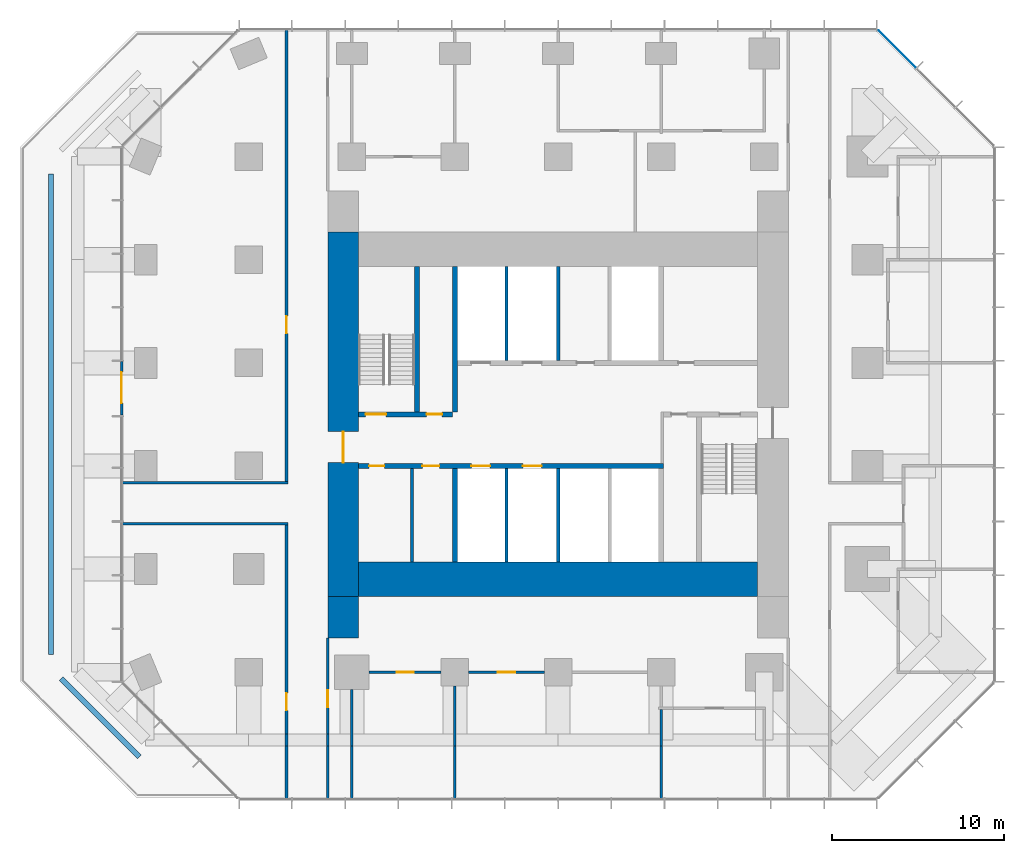
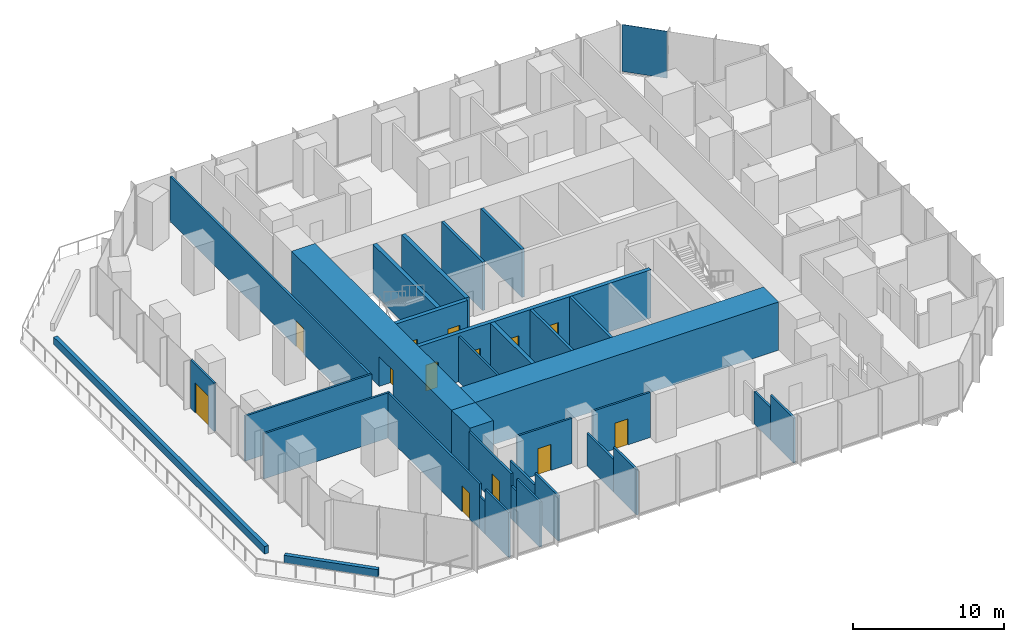
# One storey, part 8 of 11: 33 walls, 13 doors, 1 plate, 13 openings, 1 element without a shape of its own.
"""IFC4 building model written with IfcOpenShell, lengths in metres."""

from ifc_helpers import new_model, si_unit, direction, frame, frame_2d, origin, origin_2d, place, context, subcontext, project, spatial, rectangle, extrude, material, layer, layer_set, type_object, element, fill, aggregate, save


model = new_model("IFC4")

# Units and contexts
model_context = context("Model", 3, precision=1e-05, world=origin(), true_north=direction((0.0, 1.0)))
body_context = subcontext(model_context, "Body", "Model", "MODEL_VIEW")
ifc_project = project(units=[si_unit("LENGTHUNIT", "METRE"), si_unit("AREAUNIT", "SQUARE_METRE"), si_unit("VOLUMEUNIT", "CUBIC_METRE"), si_unit("PLANEANGLEUNIT", "RADIAN"), si_unit("MASSUNIT", "GRAM", prefix="KILO")], contexts=[model_context])

# Site, building, storey
site_placement = place(None, origin())
site = spatial("IfcSite", under=ifc_project, at=site_placement, CompositionType="ELEMENT")
building_placement = place(site_placement, origin())
building = spatial("IfcBuilding", under=site, at=building_placement, Name="Highveld Stack Headquarters", CompositionType="ELEMENT")
storey_placement = place(building_placement, frame((0.0, 0.0, 140.60009765625)))
storey = spatial("IfcBuildingStorey", under=building, at=storey_placement, Name="L34", CompositionType="ELEMENT", Elevation=140.60009765625)

# Curtain wall, plate
ifc_material_1 = material(Name="Aluminium bronze anodised", Category="aluminium")
ifc_layer_1 = layer(ifc_material_1, 0.199951171875)
ifc_layer_set_1 = layer_set([ifc_layer_1], Name="Aluminium bronze anodised")
curtain_wall_type = type_object("IfcCurtainWallType", Name="CW2 TOWER CHAMFER UNITISED CURTAIN WALL", PredefinedType="NOTDEFINED", material=ifc_layer_set_1)
curtain_wall_placement = place(storey_placement, origin())
curtain_wall = element("IfcCurtainWall", 1, at=curtain_wall_placement, inside=storey, type_object=curtain_wall_type, Name="Curtain wall CW2 L34 NE", PredefinedType="NOTDEFINED")
ifc_material_2 = material(Name="Glass bronze tinted double glazed unit", Category="glass")
ifc_layer_2 = layer(ifc_material_2, 0.028076171875)
ifc_layer_set_2 = layer_set([ifc_layer_2], Name="Glass bronze tinted double glazed unit")
plate_type = type_object("IfcPlateType", Name="CW2 PANEL BRONZE TINTED DOUBLE GLAZED UNIT", PredefinedType="CURTAIN_PANEL", material=ifc_layer_set_2)
plate_placement = place(storey_placement, frame((25.740478515625, 24.239501953125, 0.10009765625), z_axis=(0.0, 0.0, 1.0), x_axis=(-0.707106781187, 0.707106781187, 0.0)))
plate = element("IfcPlate", 2, at=plate_placement, type_object=plate_type, Name="CW2 panel L34 3.1", PredefinedType="CURTAIN_PANEL", context=body_context, shape_type="SweptSolid", body=[
    extrude(rectangle(XDim=3.08251953125, YDim=0.028076171875, at=origin_2d()), origin(), (0.0, 0.0, 1.0), 3.800048828125),
])
aggregate(curtain_wall, [plate])

# Wall, opening, door
ifc_material_3 = material(Name="Concrete C60/75", Category="concrete")
ifc_layer_3 = layer(ifc_material_3, 1.800048828125)
ifc_layer_set_3 = layer_set([ifc_layer_3], Name="Concrete C60/75")
wall_type_1 = type_object("IfcWallType", Name="CORE WALL 1800 C60/75", PredefinedType="SHEAR", material=ifc_layer_set_3)
wall_1_placement = place(storey_placement, frame((-6.5, -7.60009765625, 0.0), z_axis=(0.0, 0.0, 1.0), x_axis=(0.0, 1.0, 0.0)))
wall_1 = element("IfcWall", 3, at=wall_1_placement, inside=storey, type_object=wall_type_1, Name="Core wall W L34", PredefinedType="SHEAR", context=body_context, shape_type="SweptSolid", body=[
    extrude(rectangle(XDim=21.2001953125, YDim=1.800048828125, at=frame_2d((10.60009765625, 0.0))), origin(), (0.0, 0.0, 1.0), 3.89990234375),
])
opening_1_placement = place(wall_1_placement, frame((7.800048828125, 0.0, 0.0)))
opening_1 = element("IfcOpeningElement", 4, at=opening_1_placement, cuts=wall_1, Name="Opening L34-02", PredefinedType="OPENING", context=body_context, shape_type="SweptSolid", body=[
    extrude(rectangle(XDim=1.800048828125, YDim=2.39990234375, at=frame_2d((0.89990234375, 1.199951171875))), frame((0.0, 0.909912109375, 0.0), z_axis=(0.0, -1.0, 0.0), x_axis=(1.0, 0.0, 0.0)), (0.0, 0.0, 1.0), 1.820068359375),
])
ifc_material_4 = material(Name="Steel fire door", Category="steel")
door_type_1 = type_object("IfcDoorType", Name="LOBBY FIRE DOOR D4 1800x2400", OperationType="DOUBLE_DOOR_SINGLE_SWING", PredefinedType="DOOR", material=ifc_material_4)
door_1_placement = place(opening_1_placement, origin())
door_1 = element("IfcDoor", 5, at=door_1_placement, inside=storey, type_object=door_type_1, Name="Core west door L34", OperationType="DOUBLE_DOOR_SINGLE_SWING", OverallHeight=2.39990234375, OverallWidth=1.800048828125, PredefinedType="DOOR", context=body_context, shape_type="SweptSolid", body=[
    extrude(rectangle(XDim=1.800048828125, YDim=2.39990234375, at=frame_2d((0.89990234375, 1.199951171875))), frame((0.0, 0.02490234375, 0.0), z_axis=(0.0, -1.0, 0.0), x_axis=(1.0, 0.0, 0.0)), (0.0, 0.0, 1.0), 0.050048828125),
])
fill(opening_1, door_1)

# Wall
ifc_material_5 = material(Name="Concrete C60/75", Category="concrete")
ifc_layer_4 = layer(ifc_material_5, 2.0)
ifc_layer_set_4 = layer_set([ifc_layer_4], Name="Concrete C60/75")
wall_type_2 = type_object("IfcWallType", Name="CORE WALL 2000 C60/75", PredefinedType="SHEAR", material=ifc_layer_set_4)
wall_2_placement = place(storey_placement, frame((-5.60009765625, -6.60009765625, 0.0), z_axis=(0.0, 0.0, 1.0), x_axis=(1.0, 0.0, 0.0)))
element("IfcWall", 6, at=wall_2_placement, inside=storey, type_object=wall_type_2, Name="Core wall S L34", PredefinedType="SHEAR", context=body_context, shape_type="SweptSolid", body=[
    extrude(rectangle(XDim=23.2001953125, YDim=2.0, at=frame_2d((11.60009765625, 0.0))), origin(), (0.0, 0.0, 1.0), 3.89990234375),
])

# Wall, openings, doors
ifc_material_6 = material(Name="Concrete C60/75", Category="concrete")
ifc_layer_5 = layer(ifc_material_6, 0.300048828125)
ifc_layer_set_5 = layer_set([ifc_layer_5], Name="Concrete C60/75")
wall_type_3 = type_object("IfcWallType", Name="CORE WALL 300 C60/75", PredefinedType="SHEAR", material=ifc_layer_set_5)
wall_3_placement = place(storey_placement, frame((-5.60009765625, 0.0, 0.0), z_axis=(0.0, 0.0, 1.0), x_axis=(1.0, 0.0, 0.0)))
wall_3 = element("IfcWall", 7, at=wall_3_placement, inside=storey, type_object=wall_type_3, Name="Core wall I-Y0 L34", PredefinedType="SHEAR", context=body_context, shape_type="SweptSolid", body=[
    extrude(rectangle(XDim=17.75, YDim=0.300048828125, at=frame_2d((8.875, 0.0))), origin(), (0.0, 0.0, 1.0), 3.89990234375),
])
opening_2_placement = place(wall_3_placement, frame((0.60009765625, 0.0, 0.0)))
opening_2 = element("IfcOpeningElement", 8, at=opening_2_placement, cuts=wall_3, Name="Opening L34-08", PredefinedType="OPENING", context=body_context, shape_type="SweptSolid", body=[
    extrude(rectangle(XDim=0.89990234375, YDim=2.10009765625, at=frame_2d((0.449951171875, 1.050048828125))), frame((0.0, 0.159912109375, 0.0), z_axis=(0.0, -1.0, 0.0), x_axis=(1.0, 0.0, 0.0)), (0.0, 0.0, 1.0), 0.320068359375),
])
opening_3_placement = place(wall_3_placement, frame((3.699951171875, 0.0, 0.0)))
opening_3 = element("IfcOpeningElement", 9, at=opening_3_placement, cuts=wall_3, Name="Opening L34-09", PredefinedType="OPENING", context=body_context, shape_type="SweptSolid", body=[
    extrude(rectangle(XDim=1.0, YDim=2.10009765625, at=frame_2d((0.5, 1.050048828125))), frame((0.0, 0.159912109375, 0.0), z_axis=(0.0, -1.0, 0.0), x_axis=(1.0, 0.0, 0.0)), (0.0, 0.0, 1.0), 0.320068359375),
])
opening_4_placement = place(wall_3_placement, frame((6.550048828125, 0.0, 0.0)))
opening_4 = element("IfcOpeningElement", 10, at=opening_4_placement, cuts=wall_3, Name="Opening LD", PredefinedType="OPENING", context=body_context, shape_type="SweptSolid", body=[
    extrude(rectangle(XDim=1.10009765625, YDim=2.10009765625, at=frame_2d((0.550048828125, 1.050048828125))), frame((0.0, 0.159912109375, 0.0), z_axis=(0.0, -1.0, 0.0), x_axis=(1.0, 0.0, 0.0)), (0.0, 0.0, 1.0), 0.320068359375),
])
opening_5_placement = place(wall_3_placement, frame((9.550048828125, 0.0, 0.0)))
opening_5 = element("IfcOpeningElement", 11, at=opening_5_placement, cuts=wall_3, Name="Opening LD", PredefinedType="OPENING", context=body_context, shape_type="SweptSolid", body=[
    extrude(rectangle(XDim=1.10009765625, YDim=2.10009765625, at=frame_2d((0.550048828125, 1.050048828125))), frame((0.0, 0.159912109375, 0.0), z_axis=(0.0, -1.0, 0.0), x_axis=(1.0, 0.0, 0.0)), (0.0, 0.0, 1.0), 0.320068359375),
])
ifc_material_7 = material(Name="Timber door, painted", Category="wood")
door_type_2 = type_object("IfcDoorType", Name="ACCESSIBLE WC DOOR D2 1000x2100", OperationType="SINGLE_SWING_RIGHT", PredefinedType="DOOR", material=ifc_material_7)
door_2_placement = place(opening_3_placement, origin())
door_2 = element("IfcDoor", 12, at=door_2_placement, inside=storey, type_object=door_type_2, Name="Accessible WC door L34", OperationType="SINGLE_SWING_LEFT", OverallHeight=2.10009765625, OverallWidth=1.0, PredefinedType="DOOR", context=body_context, shape_type="SweptSolid", body=[
    extrude(rectangle(XDim=1.0, YDim=2.10009765625, at=frame_2d((0.5, 1.050048828125))), frame((0.0, 0.02490234375, 0.0), z_axis=(0.0, -1.0, 0.0), x_axis=(1.0, 0.0, 0.0)), (0.0, 0.0, 1.0), 0.050048828125),
])
fill(opening_3, door_2)
ifc_material_8 = material(Name="Stainless steel lift landing door", Category="steel")
door_type_3 = type_object("IfcDoorType", Name="LIFT LANDING DOOR LD 1100x2100", OperationType="DOUBLE_DOOR_SLIDING", PredefinedType="USERDEFINED", material=ifc_material_8)
door_3_placement = place(opening_4_placement, origin())
door_3 = element("IfcDoor", 13, at=door_3_placement, inside=storey, type_object=door_type_3, Name="Lift landing door B1 L34", ObjectType="LIFT LANDING DOOR", OperationType="DOUBLE_DOOR_SLIDING", OverallHeight=2.10009765625, OverallWidth=1.10009765625, PredefinedType="USERDEFINED", context=body_context, shape_type="SweptSolid", body=[
    extrude(rectangle(XDim=1.10009765625, YDim=2.10009765625, at=frame_2d((0.550048828125, 1.050048828125))), frame((0.0, 0.02490234375, 0.0), z_axis=(0.0, -1.0, 0.0), x_axis=(1.0, 0.0, 0.0)), (0.0, 0.0, 1.0), 0.050048828125),
])
fill(opening_4, door_3)
door_4_placement = place(opening_5_placement, origin())
door_4 = element("IfcDoor", 14, at=door_4_placement, inside=storey, type_object=door_type_3, Name="Lift landing door B2 L34", ObjectType="LIFT LANDING DOOR", OperationType="DOUBLE_DOOR_SLIDING", OverallHeight=2.10009765625, OverallWidth=1.10009765625, PredefinedType="USERDEFINED", context=body_context, shape_type="SweptSolid", body=[
    extrude(rectangle(XDim=1.10009765625, YDim=2.10009765625, at=frame_2d((0.550048828125, 1.050048828125))), frame((0.0, 0.02490234375, 0.0), z_axis=(0.0, -1.0, 0.0), x_axis=(1.0, 0.0, 0.0)), (0.0, 0.0, 1.0), 0.050048828125),
])
fill(opening_5, door_4)
ifc_material_9 = material(Name="Timber door, painted", Category="wood")
door_type_4 = type_object("IfcDoorType", Name="WC DOOR D1 900x2100", OperationType="SINGLE_SWING_LEFT", PredefinedType="DOOR", material=ifc_material_9)
door_5_placement = place(opening_2_placement, origin())
door_5 = element("IfcDoor", 15, at=door_5_placement, inside=storey, type_object=door_type_4, Name="Female WC door L34", OperationType="SINGLE_SWING_LEFT", OverallHeight=2.10009765625, OverallWidth=0.89990234375, PredefinedType="DOOR", context=body_context, shape_type="SweptSolid", body=[
    extrude(rectangle(XDim=0.89990234375, YDim=2.10009765625, at=frame_2d((0.449951171875, 1.050048828125))), frame((0.0, 0.02490234375, 0.0), z_axis=(0.0, -1.0, 0.0), x_axis=(1.0, 0.0, 0.0)), (0.0, 0.0, 1.0), 0.050048828125),
])
fill(opening_2, door_5)

wall_4_placement = place(storey_placement, frame((-5.60009765625, 3.0, 0.0), z_axis=(0.0, 0.0, 1.0), x_axis=(1.0, 0.0, 0.0)))
wall_4 = element("IfcWall", 16, at=wall_4_placement, inside=storey, type_object=wall_type_3, Name="Core wall I-Y3W L34", PredefinedType="SHEAR", context=body_context, shape_type="SweptSolid", body=[
    extrude(rectangle(XDim=5.4501953125, YDim=0.300048828125, at=frame_2d((2.72509765625, 0.0))), origin(), (0.0, 0.0, 1.0), 3.89990234375),
])
opening_6_placement = place(wall_4_placement, frame((0.39990234375, 0.0, 0.0)))
opening_6 = element("IfcOpeningElement", 17, at=opening_6_placement, cuts=wall_4, Name="Opening L34-04", PredefinedType="OPENING", context=body_context, shape_type="SweptSolid", body=[
    extrude(rectangle(XDim=1.199951171875, YDim=2.10009765625, at=frame_2d((0.60009765625, 1.050048828125))), frame((0.0, 0.159912109375, 0.0), z_axis=(0.0, -1.0, 0.0), x_axis=(1.0, 0.0, 0.0)), (0.0, 0.0, 1.0), 0.320068359375),
])
opening_7_placement = place(wall_4_placement, frame((3.949951171875, 0.0, 0.0)))
opening_7 = element("IfcOpeningElement", 18, at=opening_7_placement, cuts=wall_4, Name="Opening L34-05", PredefinedType="OPENING", context=body_context, shape_type="SweptSolid", body=[
    extrude(rectangle(XDim=0.89990234375, YDim=2.10009765625, at=frame_2d((0.449951171875, 1.050048828125))), frame((0.0, 0.159912109375, 0.0), z_axis=(0.0, -1.0, 0.0), x_axis=(1.0, 0.0, 0.0)), (0.0, 0.0, 1.0), 0.320068359375),
])
ifc_material_10 = material(Name="Steel fire door", Category="steel")
door_type_5 = type_object("IfcDoorType", Name="RISER ACCESS DOOR D5 900x2100", OperationType="SINGLE_SWING_LEFT", PredefinedType="DOOR", material=ifc_material_10)
door_6_placement = place(opening_7_placement, origin())
door_6 = element("IfcDoor", 19, at=door_6_placement, inside=storey, type_object=door_type_5, Name="Riser R1 door L34", OperationType="SINGLE_SWING_RIGHT", OverallHeight=2.10009765625, OverallWidth=0.89990234375, PredefinedType="DOOR", context=body_context, shape_type="SweptSolid", body=[
    extrude(rectangle(XDim=0.89990234375, YDim=2.10009765625, at=frame_2d((0.449951171875, 1.050048828125))), frame((0.0, 0.02490234375, 0.0), z_axis=(0.0, -1.0, 0.0), x_axis=(1.0, 0.0, 0.0)), (0.0, 0.0, 1.0), 0.050048828125),
])
fill(opening_7, door_6)
ifc_material_11 = material(Name="Steel fire door", Category="steel")
door_type_6 = type_object("IfcDoorType", Name="STAIR FIRE DOOR D3 1200x2100", OperationType="SINGLE_SWING_LEFT", PredefinedType="DOOR", material=ifc_material_11)
door_7_placement = place(opening_6_placement, origin())
door_7 = element("IfcDoor", 20, at=door_7_placement, inside=storey, type_object=door_type_6, Name="Stair S1 door L34", OperationType="SINGLE_SWING_LEFT", OverallHeight=2.10009765625, OverallWidth=1.199951171875, PredefinedType="DOOR", context=body_context, shape_type="SweptSolid", body=[
    extrude(rectangle(XDim=1.199951171875, YDim=2.10009765625, at=frame_2d((0.60009765625, 1.050048828125))), frame((0.0, 0.02490234375, 0.0), z_axis=(0.0, -1.0, 0.0), x_axis=(1.0, 0.0, 0.0)), (0.0, 0.0, 1.0), 0.050048828125),
])
fill(opening_6, door_7)

# Walls
wall_5_placement = place(storey_placement, frame((0.0, -5.60009765625, 0.0), z_axis=(0.0, 0.0, 1.0), x_axis=(0.0, 1.0, 0.0)))
element("IfcWall", 21, at=wall_5_placement, inside=storey, type_object=wall_type_3, Name="Core wall I-X0S L34", PredefinedType="SHEAR", context=body_context, shape_type="SweptSolid", body=[
    extrude(rectangle(XDim=5.4501953125, YDim=0.300048828125, at=frame_2d((2.72509765625, 0.0))), origin(), (0.0, 0.0, 1.0), 3.89990234375),
])
for number, where, z_axis, x_axis, name in (
    (22, (0.0, 3.14990234375, 0.0), (0.0, 0.0, 1.0), (0.0, 1.0, 0.0), "Core wall I-X0N L34"),
    (23, (-2.199951171875, 3.14990234375, 0.0), (0.0, 0.0, 1.0), (0.0, 1.0, 0.0), "Core wall I-RW L34"),
):
    element("IfcWall", number, at=place(storey_placement, frame(where, z_axis=z_axis, x_axis=x_axis)), inside=storey, type_object=wall_type_3, Name=name, PredefinedType="SHEAR", context=body_context, shape_type="SweptSolid", body=[
        extrude(rectangle(XDim=8.4501953125, YDim=0.300048828125, at=frame_2d((4.22509765625, 0.0))), origin(), (0.0, 0.0, 1.0), 3.89990234375),
    ])
ifc_material_12 = material(Name="Concrete C60/75", Category="concrete")
ifc_layer_6 = layer(ifc_material_12, 1.800048828125)
ifc_layer_set_6 = layer_set([ifc_layer_6], Name="Concrete C60/75")
wall_type_4 = type_object("IfcWallType", Name="CORE WING WALL 1800 C60/75", PredefinedType="SHEAR", material=ifc_layer_set_6)
wall_6_placement = place(storey_placement, frame((-6.5, -10.0, 0.0), z_axis=(0.0, 0.0, 1.0), x_axis=(0.0, 1.0, 0.0)))
element("IfcWall", 24, at=wall_6_placement, inside=storey, type_object=wall_type_4, Name="Core wing wall WS L34", PredefinedType="SHEAR", context=body_context, shape_type="SweptSolid", body=[
    extrude(rectangle(XDim=2.39990234375, YDim=1.800048828125, at=frame_2d((1.199951171875, 0.0))), origin(), (0.0, 0.0, 1.0), 3.89990234375),
])

# Wall, opening, door
ifc_material_13 = material(Name="Aluminium framed glazed screen", Category="aluminium")
ifc_layer_7 = layer(ifc_material_13, 0.14990234375)
ifc_layer_set_7 = layer_set([ifc_layer_7], Name="Aluminium framed glazed screen")
wall_type_5 = type_object("IfcWallType", Name="GLAZED DOOR SCREEN 150", PredefinedType="USERDEFINED", material=ifc_layer_set_7)
wall_7_placement = place(storey_placement, frame((-19.39990234375, 2.95751953125, 0.0), z_axis=(0.0, 0.0, 1.0), x_axis=(0.0, 1.0, 0.0)))
wall_7 = element("IfcWall", 25, at=wall_7_placement, inside=storey, type_object=wall_type_5, Name="Glazed door screen L34 W", ObjectType="GLAZED SCREEN", PredefinedType="USERDEFINED", context=body_context, shape_type="SweptSolid", body=[
    extrude(rectangle(XDim=3.1259765625, YDim=0.14990234375, at=frame_2d((1.56298828125, 0.0))), origin(), (0.0, 0.0, 1.0), 3.89990234375),
])
opening_8_placement = place(wall_7_placement, frame((0.700439453125, 0.0, 0.0)))
opening_8 = element("IfcOpeningElement", 26, at=opening_8_placement, cuts=wall_7, Name="Opening L34-01", PredefinedType="OPENING", context=body_context, shape_type="SweptSolid", body=[
    extrude(rectangle(XDim=1.800048828125, YDim=2.39990234375, at=frame_2d((0.89990234375, 1.199951171875))), frame((0.0, 0.0849609375, 0.0), z_axis=(0.0, -1.0, 0.0), x_axis=(1.0, 0.0, 0.0)), (0.0, 0.0, 1.0), 0.169921875),
])
ifc_material_14 = material(Name="Aluminium framed glass door", Category="aluminium")
door_type_7 = type_object("IfcDoorType", Name="TERRACE DOOR D8 1800x2400", OperationType="DOUBLE_DOOR_SINGLE_SWING", PredefinedType="DOOR", material=ifc_material_14)
door_8_placement = place(opening_8_placement, origin())
door_8 = element("IfcDoor", 27, at=door_8_placement, inside=storey, type_object=door_type_7, Name="Terrace door L34 W", OperationType="DOUBLE_DOOR_SINGLE_SWING", OverallHeight=2.39990234375, OverallWidth=1.800048828125, PredefinedType="DOOR", context=body_context, shape_type="SweptSolid", body=[
    extrude(rectangle(XDim=1.800048828125, YDim=2.39990234375, at=frame_2d((0.89990234375, 1.199951171875))), frame((0.0, 0.02490234375, 0.0), z_axis=(0.0, -1.0, 0.0), x_axis=(1.0, 0.0, 0.0)), (0.0, 0.0, 1.0), 0.050048828125),
])
fill(opening_8, door_8)

# Walls
ifc_material_15 = material(Name="Concrete blockwork, fair-faced", Category="masonry")
ifc_layer_8 = layer(ifc_material_15, 0.199951171875)
ifc_layer_set_8 = layer_set([ifc_layer_8], Name="Concrete blockwork, fair-faced")
wall_type_6 = type_object("IfcWallType", Name="LIFT SHAFT ENCLOSURE WALL 200 BLOCKWORK", PredefinedType="SOLIDWALL", material=ifc_layer_set_8)
for number, where, z_axis, x_axis, name in (
    (28, (3.0, 6.14990234375, 0.0), (0.0, 0.0, 1.0), (0.0, 1.0, 0.0), "Lift shaft wall L34"),
    (29, (6.0, 6.14990234375, 0.0), (0.0, 0.0, 1.0), (0.0, 1.0, 0.0), "Lift shaft wall L34"),
    (30, (3.0, -5.60009765625, 0.0), (0.0, 0.0, 1.0), (0.0, 1.0, 0.0), "Lift shaft wall L34"),
    (31, (6.0, -5.60009765625, 0.0), (0.0, 0.0, 1.0), (0.0, 1.0, 0.0), "Lift shaft wall L34"),
):
    element("IfcWall", number, at=place(storey_placement, frame(where, z_axis=z_axis, x_axis=x_axis)), inside=storey, type_object=wall_type_6, Name=name, PredefinedType="SOLIDWALL", context=body_context, shape_type="SweptSolid", body=[
        extrude(rectangle(XDim=5.4501953125, YDim=0.199951171875, at=frame_2d((2.72509765625, 0.0))), origin(), (0.0, 0.0, 1.0), 3.89990234375),
    ])

# Wall, opening, door
ifc_material_16 = material(Name="Gypsum plasterboard on steel studs", Category="steel")
ifc_layer_9 = layer(ifc_material_16, 0.14990234375)
ifc_layer_set_9 = layer_set([ifc_layer_9], Name="Gypsum plasterboard on steel studs")
wall_type_7 = type_object("IfcWallType", Name="PARTITION 150 PLASTERBOARD", PredefinedType="PARTITIONING", material=ifc_layer_set_9)
wall_8_placement = place(storey_placement, frame((-5.0, -12.0, 0.0), z_axis=(0.0, 0.0, 1.0), x_axis=(1.0, 0.0, 0.0)))
wall_8 = element("IfcWall", 32, at=wall_8_placement, inside=storey, type_object=wall_type_7, Name="Partition Office L34", PredefinedType="PARTITIONING", context=body_context, shape_type="SweptSolid", body=[
    extrude(rectangle(XDim=4.199951171875, YDim=0.14990234375, at=frame_2d((2.10009765625, 0.0))), origin(), (0.0, 0.0, 1.0), 3.64990234375),
])
opening_9_placement = place(wall_8_placement, frame((1.60009765625, 0.0, 0.0)))
opening_9 = element("IfcOpeningElement", 33, at=opening_9_placement, cuts=wall_8, Name="Opening L34-12", PredefinedType="OPENING", context=body_context, shape_type="SweptSolid", body=[
    extrude(rectangle(XDim=1.0, YDim=2.10009765625, at=frame_2d((0.5, 1.050048828125))), frame((0.0, 0.0849609375, 0.0), z_axis=(0.0, -1.0, 0.0), x_axis=(1.0, 0.0, 0.0)), (0.0, 0.0, 1.0), 0.169921875),
])
ifc_material_17 = material(Name="Timber door, oiled ash", Category="wood")
door_type_8 = type_object("IfcDoorType", Name="ROOM DOOR D6 1000x2100", OperationType="SINGLE_SWING_LEFT", PredefinedType="DOOR", material=ifc_material_17)
door_9_placement = place(opening_9_placement, origin())
door_9 = element("IfcDoor", 34, at=door_9_placement, inside=storey, type_object=door_type_8, Name="Office door 1 L34", OperationType="SINGLE_SWING_LEFT", OverallHeight=2.10009765625, OverallWidth=1.0, PredefinedType="DOOR", context=body_context, shape_type="SweptSolid", body=[
    extrude(rectangle(XDim=1.0, YDim=2.10009765625, at=frame_2d((0.5, 1.050048828125))), frame((0.0, 0.02490234375, 0.0), z_axis=(0.0, -1.0, 0.0), x_axis=(1.0, 0.0, 0.0)), (0.0, 0.0, 1.0), 0.050048828125),
])
fill(opening_9, door_9)

wall_9_placement = place(storey_placement, frame((0.800048828125, -12.0, 0.0), z_axis=(0.0, 0.0, 1.0), x_axis=(1.0, 0.0, 0.0)))
wall_9 = element("IfcWall", 35, at=wall_9_placement, inside=storey, type_object=wall_type_7, Name="Partition Team office L34", PredefinedType="PARTITIONING", context=body_context, shape_type="SweptSolid", body=[
    extrude(rectangle(XDim=4.39990234375, YDim=0.14990234375, at=frame_2d((2.199951171875, 0.0))), origin(), (0.0, 0.0, 1.0), 3.64990234375),
])
opening_10_placement = place(wall_9_placement, frame((1.699951171875, 0.0, 0.0)))
opening_10 = element("IfcOpeningElement", 36, at=opening_10_placement, cuts=wall_9, Name="Opening L34-13", PredefinedType="OPENING", context=body_context, shape_type="SweptSolid", body=[
    extrude(rectangle(XDim=1.0, YDim=2.10009765625, at=frame_2d((0.5, 1.050048828125))), frame((0.0, 0.0849609375, 0.0), z_axis=(0.0, -1.0, 0.0), x_axis=(1.0, 0.0, 0.0)), (0.0, 0.0, 1.0), 0.169921875),
])
door_10_placement = place(opening_10_placement, origin())
door_10 = element("IfcDoor", 37, at=door_10_placement, inside=storey, type_object=door_type_8, Name="Team office door 1 L34", OperationType="SINGLE_SWING_LEFT", OverallHeight=2.10009765625, OverallWidth=1.0, PredefinedType="DOOR", context=body_context, shape_type="SweptSolid", body=[
    extrude(rectangle(XDim=1.0, YDim=2.10009765625, at=frame_2d((0.5, 1.050048828125))), frame((0.0, 0.02490234375, 0.0), z_axis=(0.0, -1.0, 0.0), x_axis=(1.0, 0.0, 0.0)), (0.0, 0.0, 1.0), 0.050048828125),
])
fill(opening_10, door_10)

# Walls
wall_10_placement = place(storey_placement, frame((-6.0, -19.39990234375, 0.0), z_axis=(0.0, 0.0, 1.0), x_axis=(0.0, 1.0, 0.0)))
element("IfcWall", 38, at=wall_10_placement, inside=storey, type_object=wall_type_7, Name="Partition Office L34", PredefinedType="PARTITIONING", context=body_context, shape_type="SweptSolid", body=[
    extrude(rectangle(XDim=3.08984375, YDim=0.14990234375, at=frame_2d((1.544921875, 0.0))), origin(), (0.0, 0.0, 1.0), 3.64990234375),
])
wall_11_placement = place(storey_placement, frame((-6.0, -16.31005859375, 0.0), z_axis=(0.0, 0.0, 1.0), x_axis=(0.0, 1.0, 0.0)))
element("IfcWall", 39, at=wall_11_placement, inside=storey, type_object=wall_type_7, Name="Partition Office L34", PredefinedType="PARTITIONING", context=body_context, shape_type="SweptSolid", body=[
    extrude(rectangle(XDim=3.31005859375, YDim=0.14990234375, at=frame_2d((1.655029296875, 0.0))), origin(), (0.0, 0.0, 1.0), 2.64990234375),
])
wall_12_placement = place(storey_placement, frame((0.0, -19.39990234375, 0.0), z_axis=(0.0, 0.0, 1.0), x_axis=(0.0, 1.0, 0.0)))
element("IfcWall", 40, at=wall_12_placement, inside=storey, type_object=wall_type_7, Name="Partition Office / Team office L34", PredefinedType="PARTITIONING", context=body_context, shape_type="SweptSolid", body=[
    extrude(rectangle(XDim=3.08984375, YDim=0.14990234375, at=frame_2d((1.544921875, 0.0))), origin(), (0.0, 0.0, 1.0), 3.64990234375),
])
wall_13_placement = place(storey_placement, frame((0.0, -16.31005859375, 0.0), z_axis=(0.0, 0.0, 1.0), x_axis=(0.0, 1.0, 0.0)))
element("IfcWall", 41, at=wall_13_placement, inside=storey, type_object=wall_type_7, Name="Partition Office / Team office L34", PredefinedType="PARTITIONING", context=body_context, shape_type="SweptSolid", body=[
    extrude(rectangle(XDim=3.510009765625, YDim=0.14990234375, at=frame_2d((1.7548828125, 0.0))), origin(), (0.0, 0.0, 1.0), 2.64990234375),
])
wall_14_placement = place(storey_placement, frame((12.0, -19.39990234375, 0.0), z_axis=(0.0, 0.0, 1.0), x_axis=(0.0, 1.0, 0.0)))
element("IfcWall", 42, at=wall_14_placement, inside=storey, type_object=wall_type_7, Name="Partition Focus room / Team office L34", PredefinedType="PARTITIONING", context=body_context, shape_type="SweptSolid", body=[
    extrude(rectangle(XDim=3.08984375, YDim=0.14990234375, at=frame_2d((1.544921875, 0.0))), origin(), (0.0, 0.0, 1.0), 3.64990234375),
])
wall_15_placement = place(storey_placement, frame((12.0, -16.31005859375, 0.0), z_axis=(0.0, 0.0, 1.0), x_axis=(0.0, 1.0, 0.0)))
element("IfcWall", 43, at=wall_15_placement, inside=storey, type_object=wall_type_7, Name="Partition Focus room / Team office L34", PredefinedType="PARTITIONING", context=body_context, shape_type="SweptSolid", body=[
    extrude(rectangle(XDim=2.135009765625, YDim=0.14990234375, at=frame_2d((1.0673828125, 0.0))), origin(), (0.0, 0.0, 1.0), 2.64990234375),
])
wall_16_placement = place(storey_placement, frame((-19.35009765625, -3.375, 0.0), z_axis=(0.0, 0.0, 1.0), x_axis=(1.0, 0.0, 0.0)))
element("IfcWall", 44, at=wall_16_placement, inside=storey, type_object=wall_type_7, Name="Partition office neighbourhood L34", PredefinedType="PARTITIONING", context=body_context, shape_type="SweptSolid", body=[
    extrude(rectangle(XDim=9.625, YDim=0.14990234375, at=frame_2d((4.8125, 0.0))), origin(), (0.0, 0.0, 1.0), 3.64990234375),
])
wall_17_placement = place(storey_placement, frame((-19.39990234375, -0.97509765625, 0.0), z_axis=(0.0, 0.0, 1.0), x_axis=(1.0, 0.0, 0.0)))
element("IfcWall", 45, at=wall_17_placement, inside=storey, type_object=wall_type_7, Name="Partition office neighbourhood L34", PredefinedType="PARTITIONING", context=body_context, shape_type="SweptSolid", body=[
    extrude(rectangle(XDim=9.6748046875, YDim=0.14990234375, at=frame_2d((4.83740234375, 0.0))), origin(), (0.0, 0.0, 1.0), 3.64990234375),
])
wall_18_placement = place(storey_placement, frame((-9.800048828125, -19.39990234375, 0.0), z_axis=(0.0, 0.0, 1.0), x_axis=(0.0, 1.0, 0.0)))
element("IfcWall", 46, at=wall_18_placement, inside=storey, type_object=wall_type_7, Name="Partition office neighbourhood L34", PredefinedType="PARTITIONING", context=body_context, shape_type="SweptSolid", body=[
    extrude(rectangle(XDim=3.08984375, YDim=0.14990234375, at=frame_2d((1.544921875, 0.0))), origin(), (0.0, 0.0, 1.0), 3.64990234375),
])
wall_19_placement = place(storey_placement, frame((-9.800048828125, -16.31005859375, 0.0), z_axis=(0.0, 0.0, 1.0), x_axis=(0.0, 1.0, 0.0)))
element("IfcWall", 47, at=wall_19_placement, inside=storey, type_object=wall_type_7, Name="Partition office neighbourhood L34", PredefinedType="PARTITIONING", context=body_context, shape_type="SweptSolid", body=[
    extrude(rectangle(XDim=0.719970703125, YDim=0.14990234375, at=frame_2d((0.35986328125, 0.0))), origin(), (0.0, 0.0, 1.0), 2.64990234375),
])

# Wall, opening, door
wall_20_placement = place(storey_placement, frame((-9.800048828125, -15.590087890625, 0.0), z_axis=(0.0, 0.0, 1.0), x_axis=(0.0, 1.0, 0.0)))
wall_20 = element("IfcWall", 48, at=wall_20_placement, inside=storey, type_object=wall_type_7, Name="Partition office neighbourhood L34", PredefinedType="PARTITIONING", context=body_context, shape_type="SweptSolid", body=[
    extrude(rectangle(XDim=12.14013671875, YDim=0.14990234375, at=frame_2d((6.070068359375, 0.0))), origin(), (0.0, 0.0, 1.0), 3.64990234375),
])
opening_11_placement = place(wall_20_placement, frame((1.364013671875, 0.0, 0.0)))
opening_11 = element("IfcOpeningElement", 49, at=opening_11_placement, cuts=wall_20, Name="Opening L34-24", PredefinedType="OPENING", context=body_context, shape_type="SweptSolid", body=[
    extrude(rectangle(XDim=1.0, YDim=2.10009765625, at=frame_2d((0.5, 1.050048828125))), frame((0.0, 0.0849609375, 0.0), z_axis=(0.0, -1.0, 0.0), x_axis=(1.0, 0.0, 0.0)), (0.0, 0.0, 1.0), 0.169921875),
])
door_11_placement = place(opening_11_placement, origin())
door_11 = element("IfcDoor", 50, at=door_11_placement, inside=storey, type_object=door_type_8, Name="Office neighbourhood door L34", OperationType="SINGLE_SWING_LEFT", OverallHeight=2.10009765625, OverallWidth=1.0, PredefinedType="DOOR", context=body_context, shape_type="SweptSolid", body=[
    extrude(rectangle(XDim=1.0, YDim=2.10009765625, at=frame_2d((0.5, 1.050048828125))), frame((0.0, 0.02490234375, 0.0), z_axis=(0.0, -1.0, 0.0), x_axis=(1.0, 0.0, 0.0)), (0.0, 0.0, 1.0), 0.050048828125),
])
fill(opening_11, door_11)

wall_21_placement = place(storey_placement, frame((-9.800048828125, -0.89990234375, 0.0), z_axis=(0.0, 0.0, 1.0), x_axis=(0.0, 1.0, 0.0)))
wall_21 = element("IfcWall", 51, at=wall_21_placement, inside=storey, type_object=wall_type_7, Name="Partition office neighbourhood L34", PredefinedType="PARTITIONING", context=body_context, shape_type="SweptSolid", body=[
    extrude(rectangle(XDim=26.2998046875, YDim=0.14990234375, at=frame_2d((13.14990234375, 0.0))), origin(), (0.0, 0.0, 1.0), 3.64990234375),
])
opening_12_placement = place(wall_21_placement, frame((8.62109375, 0.0, 0.0)))
opening_12 = element("IfcOpeningElement", 52, at=opening_12_placement, cuts=wall_21, Name="Opening L34-25", PredefinedType="OPENING", context=body_context, shape_type="SweptSolid", body=[
    extrude(rectangle(XDim=1.0, YDim=2.10009765625, at=frame_2d((0.5, 1.050048828125))), frame((0.0, 0.0849609375, 0.0), z_axis=(0.0, -1.0, 0.0), x_axis=(1.0, 0.0, 0.0)), (0.0, 0.0, 1.0), 0.169921875),
])
door_12_placement = place(opening_12_placement, origin())
door_12 = element("IfcDoor", 53, at=door_12_placement, inside=storey, type_object=door_type_8, Name="Office neighbourhood door L34", OperationType="SINGLE_SWING_LEFT", OverallHeight=2.10009765625, OverallWidth=1.0, PredefinedType="DOOR", context=body_context, shape_type="SweptSolid", body=[
    extrude(rectangle(XDim=1.0, YDim=2.10009765625, at=frame_2d((0.5, 1.050048828125))), frame((0.0, 0.02490234375, 0.0), z_axis=(0.0, -1.0, 0.0), x_axis=(1.0, 0.0, 0.0)), (0.0, 0.0, 1.0), 0.050048828125),
])
fill(opening_12, door_12)

# Walls
wall_22_placement = place(storey_placement, frame((-7.39990234375, -19.39990234375, 0.0), z_axis=(0.0, 0.0, 1.0), x_axis=(0.0, 1.0, 0.0)))
element("IfcWall", 54, at=wall_22_placement, inside=storey, type_object=wall_type_7, Name="Partition office neighbourhood L34", PredefinedType="PARTITIONING", context=body_context, shape_type="SweptSolid", body=[
    extrude(rectangle(XDim=3.08984375, YDim=0.14990234375, at=frame_2d((1.544921875, 0.0))), origin(), (0.0, 0.0, 1.0), 3.64990234375),
])
wall_23_placement = place(storey_placement, frame((-7.39990234375, -16.31005859375, 0.0), z_axis=(0.0, 0.0, 1.0), x_axis=(0.0, 1.0, 0.0)))
element("IfcWall", 55, at=wall_23_placement, inside=storey, type_object=wall_type_7, Name="Partition office neighbourhood L34", PredefinedType="PARTITIONING", context=body_context, shape_type="SweptSolid", body=[
    extrude(rectangle(XDim=0.719970703125, YDim=0.14990234375, at=frame_2d((0.35986328125, 0.0))), origin(), (0.0, 0.0, 1.0), 2.64990234375),
])

# Wall, opening, door
wall_24_placement = place(storey_placement, frame((-7.39990234375, -15.590087890625, 0.0), z_axis=(0.0, 0.0, 1.0), x_axis=(0.0, 1.0, 0.0)))
wall_24 = element("IfcWall", 56, at=wall_24_placement, inside=storey, type_object=wall_type_7, Name="Partition office neighbourhood L34", PredefinedType="PARTITIONING", context=body_context, shape_type="SweptSolid", body=[
    extrude(rectangle(XDim=5.590087890625, YDim=0.14990234375, at=frame_2d((2.794921875, 0.0))), origin(), (0.0, 0.0, 1.0), 3.64990234375),
])
opening_13_placement = place(wall_24_placement, frame((1.550048828125, 0.0, 0.0)))
opening_13 = element("IfcOpeningElement", 57, at=opening_13_placement, cuts=wall_24, Name="Opening L34-23", PredefinedType="OPENING", context=body_context, shape_type="SweptSolid", body=[
    extrude(rectangle(XDim=1.0, YDim=2.10009765625, at=frame_2d((0.5, 1.050048828125))), frame((0.0, 0.0849609375, 0.0), z_axis=(0.0, -1.0, 0.0), x_axis=(1.0, 0.0, 0.0)), (0.0, 0.0, 1.0), 0.169921875),
])
door_13_placement = place(opening_13_placement, origin())
door_13 = element("IfcDoor", 58, at=door_13_placement, inside=storey, type_object=door_type_8, Name="Office neighbourhood door L34", OperationType="SINGLE_SWING_LEFT", OverallHeight=2.10009765625, OverallWidth=1.0, PredefinedType="DOOR", context=body_context, shape_type="SweptSolid", body=[
    extrude(rectangle(XDim=1.0, YDim=2.10009765625, at=frame_2d((0.5, 1.050048828125))), frame((0.0, 0.02490234375, 0.0), z_axis=(0.0, -1.0, 0.0), x_axis=(1.0, 0.0, 0.0)), (0.0, 0.0, 1.0), 0.050048828125),
])
fill(opening_13, door_13)

# Walls
ifc_material_18 = material(Name="Concrete C40/50, precast planter", Category="concrete")
ifc_layer_10 = layer(ifc_material_18, 0.300048828125)
ifc_layer_set_10 = layer_set([ifc_layer_10], Name="Concrete C40/50, precast planter")
wall_type_8 = type_object("IfcWallType", Name="PLANTER WALL PL1 300", PredefinedType="USERDEFINED", material=ifc_layer_set_10)
wall_25_placement = place(storey_placement, frame((-18.370361328125, -16.922607421875, 0.0), z_axis=(0.0, 0.0, 1.0), x_axis=(-0.707106781187, 0.707106781187, 0.0)))
element("IfcWall", 59, at=wall_25_placement, inside=storey, type_object=wall_type_8, Name="Planter L34 1.2", ObjectType="PLANTER", PredefinedType="USERDEFINED", context=body_context, shape_type="SweptSolid", body=[
    extrude(rectangle(XDim=6.437744140625, YDim=0.300048828125, at=frame_2d((3.21875, 0.0))), origin(), (0.0, 0.0, 1.0), 0.599853515625),
])
wall_26_placement = place(storey_placement, frame((-23.5, -10.976318359375, 0.0), z_axis=(0.0, 0.0, 1.0), x_axis=(0.0, 1.0, 0.0)))
element("IfcWall", 60, at=wall_26_placement, inside=storey, type_object=wall_type_8, Name="Planter L34 1.3", ObjectType="PLANTER", PredefinedType="USERDEFINED", context=body_context, shape_type="SweptSolid", body=[
    extrude(rectangle(XDim=27.95263671875, YDim=0.300048828125, at=frame_2d((13.976318359375, 0.0))), origin(), (0.0, 0.0, 1.0), 0.599853515625),
])
ifc_material_19 = material(Name="Concrete blockwork, tiled", Category="masonry")
ifc_layer_11 = layer(ifc_material_19, 0.14990234375)
ifc_layer_set_11 = layer_set([ifc_layer_11], Name="Concrete blockwork, tiled")
wall_type_9 = type_object("IfcWallType", Name="WC PARTITION 150", PredefinedType="PLUMBINGWALL", material=ifc_layer_set_11)
wall_27_placement = place(storey_placement, frame((-2.5, -5.60009765625, 0.0), z_axis=(0.0, 0.0, 1.0), x_axis=(0.0, 1.0, 0.0)))
element("IfcWall", 61, at=wall_27_placement, inside=storey, type_object=wall_type_9, Name="Toilet partition L34", PredefinedType="PLUMBINGWALL", context=body_context, shape_type="SweptSolid", body=[
    extrude(rectangle(XDim=5.4501953125, YDim=0.14990234375, at=frame_2d((2.72509765625, 0.0))), origin(), (0.0, 0.0, 1.0), 3.64990234375),
])

save(model, "model.ifc")
